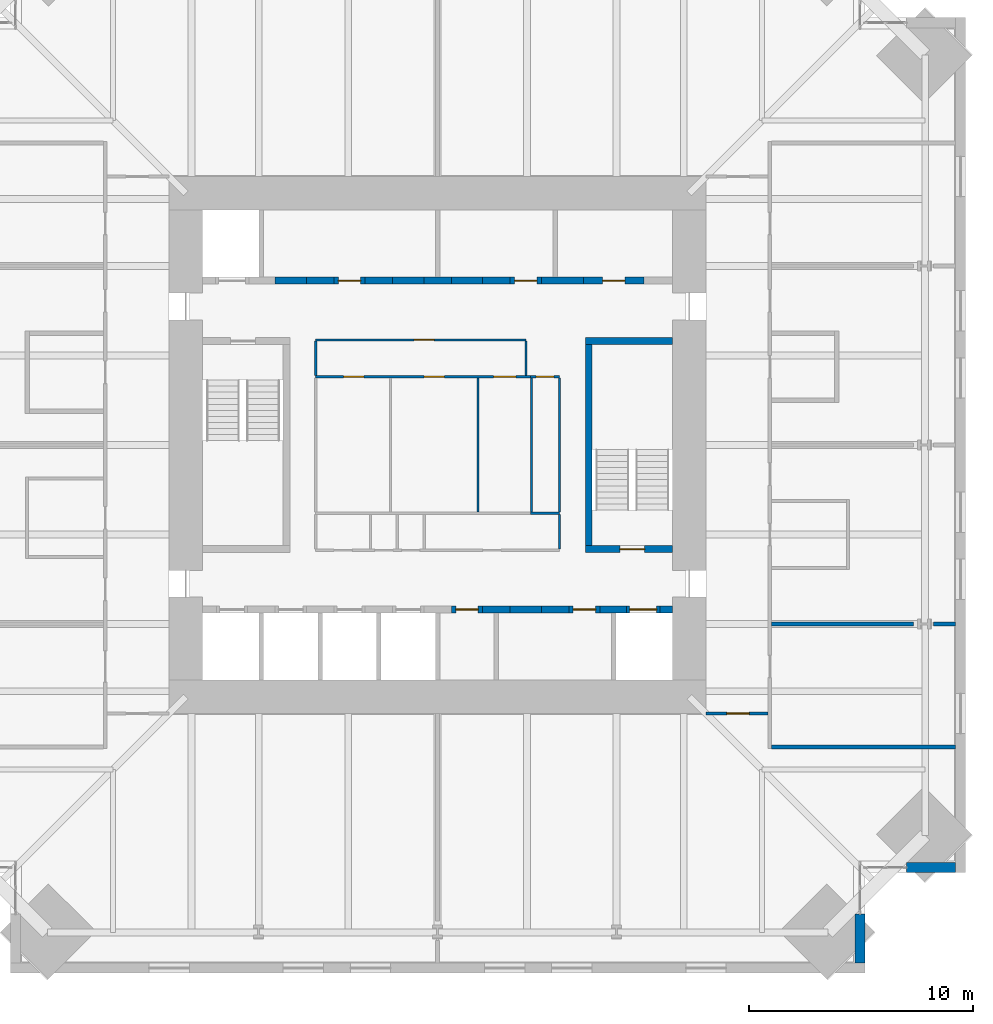
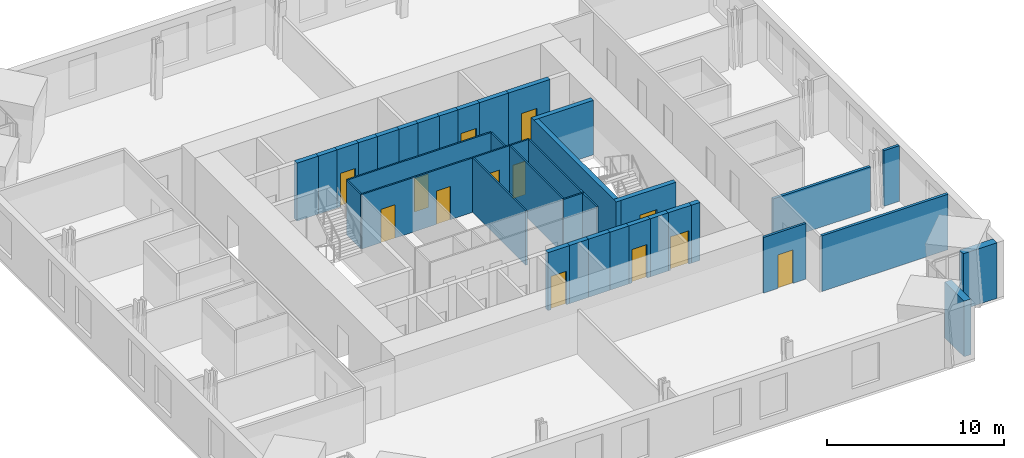
# One storey, part 12 of 15: 38 walls, 13 doors, 13 openings.
"""IFC4 building model written with IfcOpenShell, lengths in metres."""

from ifc_helpers import new_model, si_unit, direction, frame, frame_2d, origin, place, context, subcontext, project, spatial, rectangle, extrude, material, layer, layer_set, type_object, element, fill, save


model = new_model("IFC4")

# Units and contexts
model_context = context("Model", 3, precision=1e-05, world=origin(), true_north=direction((0.0, 1.0)))
body_context = subcontext(model_context, "Body", "Model", "MODEL_VIEW")
ifc_project = project(units=[si_unit("LENGTHUNIT", "METRE"), si_unit("AREAUNIT", "SQUARE_METRE"), si_unit("VOLUMEUNIT", "CUBIC_METRE"), si_unit("PLANEANGLEUNIT", "RADIAN"), si_unit("MASSUNIT", "GRAM", prefix="KILO")], contexts=[model_context])

# Site, building, storey
site_placement = place(None, origin())
site = spatial("IfcSite", under=ifc_project, at=site_placement, CompositionType="ELEMENT")
building_placement = place(site_placement, origin())
building = spatial("IfcBuilding", under=site, at=building_placement, Name="Peilmerk Tower", CompositionType="ELEMENT")
storey_placement = place(building_placement, frame((0.0, 0.0, 225.800048828125)))
storey = spatial("IfcBuildingStorey", under=building, at=storey_placement, Name="L49", CompositionType="ELEMENT", Elevation=225.800048828125)

# Walls
ifc_material_1 = material(Name="Precast concrete C45/55, board-marked finish", Category="concrete")
ifc_layer_1 = layer(ifc_material_1, 0.449951171875)
ifc_layer_set_1 = layer_set([ifc_layer_1], Name="Precast concrete C45/55, board-marked finish")
wall_type_1 = type_object("IfcWallType", Name="EW1 450 precast concrete facade wall, board-marked", PredefinedType="SOLIDWALL", material=ifc_layer_set_1)
for number, where, z_axis, x_axis, name in (
    (1, (18.875, -20.95361328125, 0.0), (0.0, 0.0, 1.0), (0.0, -1.0, 0.0), "Facade wall SEA L49"),
    (2, (20.95361328125, -18.875, 0.0), (0.0, 0.0, 1.0), (1.0, 0.0, 0.0), "Facade wall SEB L49"),
):
    element("IfcWall", number, at=place(storey_placement, frame(where, z_axis=z_axis, x_axis=x_axis)), inside=storey, type_object=wall_type_1, Name=name, PredefinedType="SOLIDWALL", context=body_context, shape_type="SweptSolid", body=[
        extrude(rectangle(XDim=2.1962890625, YDim=0.449951171875, at=frame_2d((1.09814453125, 0.0))), origin(), (0.0, 0.0, 1.0), 3.829833984375),
    ])

# Wall, opening, door
ifc_material_2 = material(Name="Calcium silicate block", Category="masonry")
ifc_layer_2 = layer(ifc_material_2, 0.14990234375)
ifc_layer_set_2 = layer_set([ifc_layer_2], Name="Calcium silicate block")
wall_type_2 = type_object("IfcWallType", Name="IW1 150 corridor partition, EI 60", PredefinedType="PARTITIONING", material=ifc_layer_set_2)
wall_1_placement = place(storey_placement, frame((14.77490234375, -12.0, 0.0), z_axis=(0.0, 0.0, 1.0), x_axis=(-1.0, 0.0, 0.0)))
wall_1 = element("IfcWall", 3, at=wall_1_placement, inside=storey, type_object=wall_type_2, Name="Corridor wall SE L49", PredefinedType="PARTITIONING", context=body_context, shape_type="SweptSolid", body=[
    extrude(rectangle(XDim=2.77490234375, YDim=0.14990234375, at=frame_2d((1.387451171875, 0.0))), origin(), (0.0, 0.0, 1.0), 3.829833984375),
])
opening_1_placement = place(wall_1_placement, frame((0.85009765625, 0.0, 0.0)))
opening_1 = element("IfcOpeningElement", 4, at=opening_1_placement, cuts=wall_1, Name="Opening D1", PredefinedType="OPENING", context=body_context, shape_type="SweptSolid", body=[
    extrude(rectangle(XDim=1.0, YDim=2.300048828125, at=frame_2d((0.5, 1.14990234375))), frame((0.0, 0.0849609375, 0.0), z_axis=(0.0, -1.0, 0.0), x_axis=(1.0, 0.0, 0.0)), (0.0, 0.0, 1.0), 0.169921875),
])
ifc_material_3 = material(Name="Timber door in steel frame", Category="steel")
door_type_1 = type_object("IfcDoorType", Name="D1 1000x2300 room door, EI2 30", OperationType="SINGLE_SWING_LEFT", PredefinedType="DOOR", material=ifc_material_3)
door_1_placement = place(opening_1_placement, origin())
door_1 = element("IfcDoor", 5, at=door_1_placement, inside=storey, type_object=door_type_1, Name="Door Office L49", OperationType="SINGLE_SWING_LEFT", OverallHeight=2.300048828125, OverallWidth=1.0, PredefinedType="DOOR", context=body_context, shape_type="SweptSolid", body=[
    extrude(rectangle(XDim=1.0, YDim=2.300048828125, at=frame_2d((0.5, 1.14990234375))), frame((0.0, 0.02490234375, 0.0), z_axis=(0.0, -1.0, 0.0), x_axis=(1.0, 0.0, 0.0)), (0.0, 0.0, 1.0), 0.050048828125),
])
fill(opening_1, door_1)

# Walls
ifc_material_4 = material(Name="Concrete C35/45", Category="concrete")
ifc_layer_3 = layer(ifc_material_4, 0.300048828125)
ifc_layer_set_3 = layer_set([ifc_layer_3], Name="Concrete C35/45")
wall_type_3 = type_object("IfcWallType", Name="IW3 300 concrete stair enclosure wall, EI 120", PredefinedType="SOLIDWALL", material=ifc_layer_set_3)
wall_2_placement = place(storey_placement, frame((6.75, -4.800048828125, 0.0), z_axis=(0.0, 0.0, 1.0), x_axis=(0.0, 1.0, 0.0)))
element("IfcWall", 6, at=wall_2_placement, inside=storey, type_object=wall_type_3, Name="Stair 2 enclosure L49", PredefinedType="SOLIDWALL", context=body_context, shape_type="SweptSolid", body=[
    extrude(rectangle(XDim=9.60009765625, YDim=0.300048828125, at=frame_2d((4.800048828125, 0.0))), origin(), (0.0, 0.0, 1.0), 3.75),
])
wall_3_placement = place(storey_placement, frame((6.60009765625, 4.64990234375, 0.0), z_axis=(0.0, 0.0, 1.0), x_axis=(1.0, 0.0, 0.0)))
element("IfcWall", 7, at=wall_3_placement, inside=storey, type_object=wall_type_3, Name="Stair 2 enclosure L49", PredefinedType="SOLIDWALL", context=body_context, shape_type="SweptSolid", body=[
    extrude(rectangle(XDim=3.89990234375, YDim=0.300048828125, at=frame_2d((1.949951171875, 0.0))), origin(), (0.0, 0.0, 1.0), 3.75),
])

# Wall, opening, door
wall_4_placement = place(storey_placement, frame((10.5, -4.64990234375, 0.0), z_axis=(0.0, 0.0, 1.0), x_axis=(-1.0, 0.0, 0.0)))
wall_4 = element("IfcWall", 8, at=wall_4_placement, inside=storey, type_object=wall_type_3, Name="Stair 2 enclosure L49", PredefinedType="SOLIDWALL", context=body_context, shape_type="SweptSolid", body=[
    extrude(rectangle(XDim=3.89990234375, YDim=0.300048828125, at=frame_2d((1.949951171875, 0.0))), origin(), (0.0, 0.0, 1.0), 3.75),
])
opening_2_placement = place(wall_4_placement, frame((1.25, 0.0, 0.0)))
opening_2 = element("IfcOpeningElement", 9, at=opening_2_placement, cuts=wall_4, Name="Opening D4", PredefinedType="OPENING", context=body_context, shape_type="SweptSolid", body=[
    extrude(rectangle(XDim=1.10009765625, YDim=2.300048828125, at=frame_2d((0.550048828125, 1.14990234375))), frame((0.0, 0.159912109375, 0.0), z_axis=(0.0, -1.0, 0.0), x_axis=(1.0, 0.0, 0.0)), (0.0, 0.0, 1.0), 0.320068359375),
])
ifc_material_5 = material(Name="Steel door in steel frame", Category="steel")
door_type_2 = type_object("IfcDoorType", Name="D4 1100x2300 stair door, EI2 60", OperationType="SINGLE_SWING_RIGHT", PredefinedType="DOOR", material=ifc_material_5)
door_2_placement = place(opening_2_placement, frame((1.10009765625, 0.0, 0.0), z_axis=(0.0, 0.0, 1.0), x_axis=(-1.0, 0.0, 0.0)))
door_2 = element("IfcDoor", 10, at=door_2_placement, inside=storey, type_object=door_type_2, Name="Stair 2 door L49", OperationType="SINGLE_SWING_RIGHT", OverallHeight=2.300048828125, OverallWidth=1.10009765625, PredefinedType="DOOR", context=body_context, shape_type="SweptSolid", body=[
    extrude(rectangle(XDim=1.10009765625, YDim=2.300048828125, at=frame_2d((0.550048828125, 1.14990234375))), frame((0.0, 0.02490234375, 0.0), z_axis=(0.0, -1.0, 0.0), x_axis=(1.0, 0.0, 0.0)), (0.0, 0.0, 1.0), 0.050048828125),
])
fill(opening_2, door_2)

# Wall, openings, doors
ifc_material_6 = material(Name="Plasterboard on steel studs", Category="steel")
ifc_layer_4 = layer(ifc_material_6, 0.10009765625)
ifc_layer_set_4 = layer_set([ifc_layer_4], Name="Plasterboard on steel studs")
wall_type_4 = type_object("IfcWallType", Name="IW4 100 WC partition", PredefinedType="PARTITIONING", material=ifc_layer_set_4)
wall_5_placement = place(storey_placement, frame((-5.449951171875, 3.050048828125, 0.0), z_axis=(0.0, 0.0, 1.0), x_axis=(1.0, 0.0, 0.0)))
wall_5 = element("IfcWall", 11, at=wall_5_placement, inside=storey, type_object=wall_type_4, Name="WC wall L49", PredefinedType="PARTITIONING", context=body_context, shape_type="SweptSolid", body=[
    extrude(rectangle(XDim=9.599853515625, YDim=0.10009765625, at=frame_2d((4.7998046875, 0.0))), origin(), (0.0, 0.0, 1.0), 3.75),
])
opening_3_placement = place(wall_5_placement, frame((1.25, 0.0, 0.0)))
opening_3 = element("IfcOpeningElement", 12, at=opening_3_placement, cuts=wall_5, Name="Opening D5", PredefinedType="OPENING", context=body_context, shape_type="SweptSolid", body=[
    extrude(rectangle(XDim=0.89990234375, YDim=2.300048828125, at=frame_2d((0.449951171875, 1.14990234375))), frame((0.0, 0.06005859375, 0.0), z_axis=(0.0, -1.0, 0.0), x_axis=(1.0, 0.0, 0.0)), (0.0, 0.0, 1.0), 0.1201171875),
])
opening_4_placement = place(wall_5_placement, frame((4.85009765625, 0.0, 0.0)))
opening_4 = element("IfcOpeningElement", 13, at=opening_4_placement, cuts=wall_5, Name="Opening D5", PredefinedType="OPENING", context=body_context, shape_type="SweptSolid", body=[
    extrude(rectangle(XDim=0.89990234375, YDim=2.300048828125, at=frame_2d((0.449951171875, 1.14990234375))), frame((0.0, 0.06005859375, 0.0), z_axis=(0.0, -1.0, 0.0), x_axis=(1.0, 0.0, 0.0)), (0.0, 0.0, 1.0), 0.1201171875),
])
opening_5_placement = place(wall_5_placement, frame((7.949951171875, 0.0, 0.0)))
opening_5 = element("IfcOpeningElement", 14, at=opening_5_placement, cuts=wall_5, Name="Opening D6", PredefinedType="OPENING", context=body_context, shape_type="SweptSolid", body=[
    extrude(rectangle(XDim=1.0, YDim=2.300048828125, at=frame_2d((0.5, 1.14990234375))), frame((0.0, 0.06005859375, 0.0), z_axis=(0.0, -1.0, 0.0), x_axis=(1.0, 0.0, 0.0)), (0.0, 0.0, 1.0), 0.1201171875),
])
door_type_3 = type_object("IfcDoorType", Name="D5 900x2300 WC door", OperationType="SINGLE_SWING_LEFT", PredefinedType="DOOR", material=ifc_material_3)
door_3_placement = place(opening_3_placement, frame((0.89990234375, 0.0, 0.0), z_axis=(0.0, 0.0, 1.0), x_axis=(-1.0, 0.0, 0.0)))
door_3 = element("IfcDoor", 15, at=door_3_placement, inside=storey, type_object=door_type_3, Name="Female toilets door L49", OperationType="SINGLE_SWING_LEFT", OverallHeight=2.300048828125, OverallWidth=0.89990234375, PredefinedType="DOOR", context=body_context, shape_type="SweptSolid", body=[
    extrude(rectangle(XDim=0.89990234375, YDim=2.300048828125, at=frame_2d((0.449951171875, 1.14990234375))), frame((0.0, 0.02490234375, 0.0), z_axis=(0.0, -1.0, 0.0), x_axis=(1.0, 0.0, 0.0)), (0.0, 0.0, 1.0), 0.050048828125),
])
fill(opening_3, door_3)
door_4_placement = place(opening_4_placement, frame((0.89990234375, 0.0, 0.0), z_axis=(0.0, 0.0, 1.0), x_axis=(-1.0, 0.0, 0.0)))
door_4 = element("IfcDoor", 16, at=door_4_placement, inside=storey, type_object=door_type_3, Name="Male toilets door L49", OperationType="SINGLE_SWING_LEFT", OverallHeight=2.300048828125, OverallWidth=0.89990234375, PredefinedType="DOOR", context=body_context, shape_type="SweptSolid", body=[
    extrude(rectangle(XDim=0.89990234375, YDim=2.300048828125, at=frame_2d((0.449951171875, 1.14990234375))), frame((0.0, 0.02490234375, 0.0), z_axis=(0.0, -1.0, 0.0), x_axis=(1.0, 0.0, 0.0)), (0.0, 0.0, 1.0), 0.050048828125),
])
fill(opening_4, door_4)
door_type_4 = type_object("IfcDoorType", Name="D6 1000x2300 accessible WC door", OperationType="SLIDING_TO_LEFT", PredefinedType="DOOR", material=ifc_material_3)
door_5_placement = place(opening_5_placement, frame((1.0, 0.0, 0.0), z_axis=(0.0, 0.0, 1.0), x_axis=(-1.0, 0.0, 0.0)))
door_5 = element("IfcDoor", 17, at=door_5_placement, inside=storey, type_object=door_type_4, Name="Accessible WC door L49", OperationType="SLIDING_TO_LEFT", OverallHeight=2.300048828125, OverallWidth=1.0, PredefinedType="DOOR", context=body_context, shape_type="SweptSolid", body=[
    extrude(rectangle(XDim=1.0, YDim=2.300048828125, at=frame_2d((0.5, 1.14990234375))), frame((0.0, 0.02490234375, 0.0), z_axis=(0.0, -1.0, 0.0), x_axis=(1.0, 0.0, 0.0)), (0.0, 0.0, 1.0), 0.050048828125),
])
fill(opening_5, door_5)

# Wall
wall_6_placement = place(storey_placement, frame((1.800048828125, -3.0, 0.0), z_axis=(0.0, 0.0, 1.0), x_axis=(0.0, 1.0, 0.0)))
element("IfcWall", 18, at=wall_6_placement, inside=storey, type_object=wall_type_4, Name="WC wall L49", PredefinedType="PARTITIONING", context=body_context, shape_type="SweptSolid", body=[
    extrude(rectangle(XDim=6.0, YDim=0.10009765625, at=frame_2d((3.0, 0.0))), origin(), (0.0, 0.0, 1.0), 3.75),
])

# Wall, opening, door
ifc_material_7 = material(Name="Calcium silicate board on steel studs", Category="steel")
ifc_layer_5 = layer(ifc_material_7, 0.10009765625)
ifc_layer_set_5 = layer_set([ifc_layer_5], Name="Calcium silicate board on steel studs")
wall_type_5 = type_object("IfcWallType", Name="IW5 100 riser enclosure wall, EI 60", PredefinedType="PARTITIONING", material=ifc_layer_set_5)
wall_7_placement = place(storey_placement, frame((4.14990234375, 3.050048828125, 0.0), z_axis=(0.0, 0.0, 1.0), x_axis=(1.0, 0.0, 0.0)))
wall_7 = element("IfcWall", 19, at=wall_7_placement, inside=storey, type_object=wall_type_5, Name="Riser wall L49", PredefinedType="PARTITIONING", context=body_context, shape_type="SweptSolid", body=[
    extrude(rectangle(XDim=1.300048828125, YDim=0.10009765625, at=frame_2d((0.64990234375, 0.0))), origin(), (0.0, 0.0, 1.0), 3.75),
])
opening_6_placement = place(wall_7_placement, frame((0.25, 0.0, 0.0)))
opening_6 = element("IfcOpeningElement", 20, at=opening_6_placement, cuts=wall_7, Name="Opening D7", PredefinedType="OPENING", context=body_context, shape_type="SweptSolid", body=[
    extrude(rectangle(XDim=0.800048828125, YDim=2.300048828125, at=frame_2d((0.39990234375, 1.14990234375))), frame((0.0, 0.06005859375, 0.0), z_axis=(0.0, -1.0, 0.0), x_axis=(1.0, 0.0, 0.0)), (0.0, 0.0, 1.0), 0.1201171875),
])
door_type_5 = type_object("IfcDoorType", Name="D7 800x2300 riser access door, EI2 60", OperationType="SINGLE_SWING_RIGHT", PredefinedType="DOOR", material=ifc_material_5)
door_6_placement = place(opening_6_placement, frame((0.800048828125, 0.0, 0.0), z_axis=(0.0, 0.0, 1.0), x_axis=(-1.0, 0.0, 0.0)))
door_6 = element("IfcDoor", 21, at=door_6_placement, inside=storey, type_object=door_type_5, Name="Plumbing riser door L49", OperationType="SINGLE_SWING_RIGHT", OverallHeight=2.300048828125, OverallWidth=0.800048828125, PredefinedType="DOOR", context=body_context, shape_type="SweptSolid", body=[
    extrude(rectangle(XDim=0.800048828125, YDim=2.300048828125, at=frame_2d((0.39990234375, 1.14990234375))), frame((0.0, 0.02490234375, 0.0), z_axis=(0.0, -1.0, 0.0), x_axis=(1.0, 0.0, 0.0)), (0.0, 0.0, 1.0), 0.050048828125),
])
fill(opening_6, door_6)

# Walls
wall_8_placement = place(storey_placement, frame((5.449951171875, -3.050048828125, 0.0), z_axis=(0.0, 0.0, 1.0), x_axis=(-1.0, 0.0, 0.0)))
element("IfcWall", 22, at=wall_8_placement, inside=storey, type_object=wall_type_5, Name="Riser wall L49", PredefinedType="PARTITIONING", context=body_context, shape_type="SweptSolid", body=[
    extrude(rectangle(XDim=1.300048828125, YDim=0.10009765625, at=frame_2d((0.64990234375, 0.0))), origin(), (0.0, 0.0, 1.0), 3.75),
])
for number, where, z_axis, x_axis, name in (
    (23, (5.449951171875, 3.0, 0.0), (0.0, 0.0, 1.0), (0.0, -1.0, 0.0), "Riser wall L49"),
    (24, (4.199951171875, -3.0, 0.0), (0.0, 0.0, 1.0), (0.0, 1.0, 0.0), "Riser wall L49"),
):
    element("IfcWall", number, at=place(storey_placement, frame(where, z_axis=z_axis, x_axis=x_axis)), inside=storey, type_object=wall_type_5, Name=name, PredefinedType="PARTITIONING", context=body_context, shape_type="SweptSolid", body=[
        extrude(rectangle(XDim=6.0, YDim=0.10009765625, at=frame_2d((3.0, 0.0))), origin(), (0.0, 0.0, 1.0), 3.75),
    ])
wall_9_placement = place(storey_placement, frame((5.449951171875, -3.10009765625, 0.0), z_axis=(0.0, 0.0, 1.0), x_axis=(0.0, -1.0, 0.0)))
element("IfcWall", 25, at=wall_9_placement, inside=storey, type_object=wall_type_5, Name="Riser wall L49", PredefinedType="PARTITIONING", context=body_context, shape_type="SweptSolid", body=[
    extrude(rectangle(XDim=1.5498046875, YDim=0.10009765625, at=frame_2d((0.77490234375, 0.0))), origin(), (0.0, 0.0, 1.0), 3.75),
])
ifc_layer_6 = layer(ifc_material_2, 0.175048828125)
ifc_layer_set_6 = layer_set([ifc_layer_6], Name="Calcium silicate block")
wall_type_6 = type_object("IfcWallType", Name="IW8 175 tenant separating wall, EI 60", PredefinedType="PARTITIONING", material=ifc_layer_set_6)
wall_10_placement = place(storey_placement, frame((23.14990234375, -13.5, 0.0), z_axis=(0.0, 0.0, 1.0), x_axis=(-1.0, 0.0, 0.0)))
element("IfcWall", 26, at=wall_10_placement, inside=storey, type_object=wall_type_6, Name="Tenant separating wall SE L49", PredefinedType="PARTITIONING", context=body_context, shape_type="SweptSolid", body=[
    extrude(rectangle(XDim=8.224853515625, YDim=0.175048828125, at=frame_2d((4.1123046875, 0.0))), origin(), (0.0, 0.0, 1.0), 3.829833984375),
])
wall_11_placement = place(storey_placement, frame((14.925048828125, -8.0, 0.0), z_axis=(0.0, 0.0, 1.0), x_axis=(1.0, 0.0, 0.0)))
element("IfcWall", 27, at=wall_11_placement, inside=storey, type_object=wall_type_6, Name="Tenant separating wall E1 L49", PredefinedType="PARTITIONING", context=body_context, shape_type="SweptSolid", body=[
    extrude(rectangle(XDim=6.341552734375, YDim=0.175048828125, at=frame_2d((3.1708984375, 0.0))), origin(), (0.0, 0.0, 1.0), 3.0400390625),
])
wall_12_placement = place(storey_placement, frame((22.156005859375, -8.0, 0.0), z_axis=(0.0, 0.0, 1.0), x_axis=(1.0, 0.0, 0.0)))
element("IfcWall", 28, at=wall_12_placement, inside=storey, type_object=wall_type_6, Name="Tenant separating wall E1b L49", PredefinedType="PARTITIONING", context=body_context, shape_type="SweptSolid", body=[
    extrude(rectangle(XDim=0.993896484375, YDim=0.175048828125, at=frame_2d((0.4970703125, 0.0))), origin(), (0.0, 0.0, 1.0), 3.829833984375),
])

# Wall, opening, door
ifc_material_8 = material(Name="Fire-resisting plasterboard on steel studs", Category="steel")
ifc_layer_7 = layer(ifc_material_8, 0.10009765625)
ifc_layer_set_7 = layer_set([ifc_layer_7], Name="Fire-resisting plasterboard on steel studs")
wall_type_7 = type_object("IfcWallType", Name="IW9 100 WC lobby wall, EI 30", PredefinedType="PARTITIONING", material=ifc_layer_set_7)
wall_13_placement = place(storey_placement, frame((-5.449951171875, 4.699951171875, 0.0), z_axis=(0.0, 0.0, 1.0), x_axis=(1.0, 0.0, 0.0)))
wall_13 = element("IfcWall", 29, at=wall_13_placement, inside=storey, type_object=wall_type_7, Name="WC lobby wall L49", PredefinedType="PARTITIONING", context=body_context, shape_type="SweptSolid", body=[
    extrude(rectangle(XDim=9.39990234375, YDim=0.10009765625, at=frame_2d((4.699951171875, 0.0))), origin(), (0.0, 0.0, 1.0), 3.75),
])
opening_7_placement = place(wall_13_placement, frame((4.39990234375, 0.0, 0.0)))
opening_7 = element("IfcOpeningElement", 30, at=opening_7_placement, cuts=wall_13, Name="Opening D11", PredefinedType="OPENING", context=body_context, shape_type="SweptSolid", body=[
    extrude(rectangle(XDim=0.89990234375, YDim=2.300048828125, at=frame_2d((0.449951171875, 1.14990234375))), frame((0.0, 0.06005859375, 0.0), z_axis=(0.0, -1.0, 0.0), x_axis=(1.0, 0.0, 0.0)), (0.0, 0.0, 1.0), 0.1201171875),
])
door_type_6 = type_object("IfcDoorType", Name="D11 900x2300 WC lobby door, EI2 30", OperationType="SINGLE_SWING_LEFT", PredefinedType="DOOR", material=ifc_material_3)
door_7_placement = place(opening_7_placement, frame((0.89990234375, 0.0, 0.0), z_axis=(0.0, 0.0, 1.0), x_axis=(-1.0, 0.0, 0.0)))
door_7 = element("IfcDoor", 31, at=door_7_placement, inside=storey, type_object=door_type_6, Name="WC lobby door L49", OperationType="SINGLE_SWING_LEFT", OverallHeight=2.300048828125, OverallWidth=0.89990234375, PredefinedType="DOOR", context=body_context, shape_type="SweptSolid", body=[
    extrude(rectangle(XDim=0.89990234375, YDim=2.300048828125, at=frame_2d((0.449951171875, 1.14990234375))), frame((0.0, 0.02490234375, 0.0), z_axis=(0.0, -1.0, 0.0), x_axis=(1.0, 0.0, 0.0)), (0.0, 0.0, 1.0), 0.050048828125),
])
fill(opening_7, door_7)

# Walls
for number, where, z_axis, x_axis, name in (
    (32, (-5.449951171875, 3.10009765625, 0.0), (0.0, 0.0, 1.0), (0.0, 1.0, 0.0), "WC lobby wall L49"),
    (33, (3.949951171875, 3.10009765625, 0.0), (0.0, 0.0, 1.0), (0.0, 1.0, 0.0), "WC lobby wall L49"),
):
    element("IfcWall", number, at=place(storey_placement, frame(where, z_axis=z_axis, x_axis=x_axis)), inside=storey, type_object=wall_type_7, Name=name, PredefinedType="PARTITIONING", context=body_context, shape_type="SweptSolid", body=[
        extrude(rectangle(XDim=1.5498046875, YDim=0.10009765625, at=frame_2d((0.77490234375, 0.0))), origin(), (0.0, 0.0, 1.0), 3.75),
    ])
ifc_layer_8 = layer(ifc_material_2, 0.300048828125)
ifc_layer_set_8 = layer_set([ifc_layer_8], Name="Calcium silicate block")
wall_type_8 = type_object("IfcWallType", Name="SH2 300 lift landing door panel, EI 120", PredefinedType="PARTITIONING", material=ifc_layer_set_8)
wall_14_placement = place(storey_placement, frame((-7.262451171875, 7.35009765625, 0.0), z_axis=(0.0, 0.0, 1.0), x_axis=(1.0, 0.0, 0.0)))
element("IfcWall", 34, at=wall_14_placement, inside=storey, type_object=wall_type_8, Name="Lift door panel N A1 L49", PredefinedType="PARTITIONING", context=body_context, shape_type="SweptSolid", body=[
    extrude(rectangle(XDim=1.39990234375, YDim=0.300048828125, at=frame_2d((0.699951171875, 0.0))), origin(), (0.0, 0.0, 1.0), 4.0),
])

# Wall, opening, door
wall_15_placement = place(storey_placement, frame((-4.637451171875, 7.35009765625, 0.0), z_axis=(0.0, 0.0, 1.0), x_axis=(1.0, 0.0, 0.0)))
wall_15 = element("IfcWall", 35, at=wall_15_placement, inside=storey, type_object=wall_type_8, Name="Lift door panel N A2 L49", PredefinedType="PARTITIONING", context=body_context, shape_type="SweptSolid", body=[
    extrude(rectangle(XDim=1.39990234375, YDim=0.300048828125, at=frame_2d((0.699951171875, 0.0))), origin(), (0.0, 0.0, 1.0), 4.0),
])
opening_8_placement = place(wall_15_placement, frame((0.199951171875, 0.0, 0.0)))
opening_8 = element("IfcOpeningElement", 36, at=opening_8_placement, cuts=wall_15, Name="Opening D10", PredefinedType="OPENING", context=body_context, shape_type="SweptSolid", body=[
    extrude(rectangle(XDim=1.0, YDim=2.300048828125, at=frame_2d((0.5, 1.14990234375))), frame((0.0, 0.159912109375, 0.0), z_axis=(0.0, -1.0, 0.0), x_axis=(1.0, 0.0, 0.0)), (0.0, 0.0, 1.0), 0.320068359375),
])
door_type_7 = type_object("IfcDoorType", Name="D10 1000x2300 core room door, EI2 60", OperationType="SINGLE_SWING_RIGHT", PredefinedType="DOOR", material=ifc_material_5)
door_8_placement = place(opening_8_placement, origin())
door_8 = element("IfcDoor", 37, at=door_8_placement, inside=storey, type_object=door_type_7, Name="Door Mail room L49", OperationType="SINGLE_SWING_RIGHT", OverallHeight=2.300048828125, OverallWidth=1.0, PredefinedType="DOOR", context=body_context, shape_type="SweptSolid", body=[
    extrude(rectangle(XDim=1.0, YDim=2.300048828125, at=frame_2d((0.5, 1.14990234375))), frame((0.0, 0.02490234375, 0.0), z_axis=(0.0, -1.0, 0.0), x_axis=(1.0, 0.0, 0.0)), (0.0, 0.0, 1.0), 0.050048828125),
])
fill(opening_8, door_8)

# Walls
for number, where, z_axis, x_axis, name in (
    (38, (-2.012451171875, 7.35009765625, 0.0), (0.0, 0.0, 1.0), (1.0, 0.0, 0.0), "Lift door panel N A3 L49"),
    (39, (0.612548828125, 7.35009765625, 0.0), (0.0, 0.0, 1.0), (1.0, 0.0, 0.0), "Lift door panel N S1 L49"),
):
    element("IfcWall", number, at=place(storey_placement, frame(where, z_axis=z_axis, x_axis=x_axis)), inside=storey, type_object=wall_type_8, Name=name, PredefinedType="PARTITIONING", context=body_context, shape_type="SweptSolid", body=[
        extrude(rectangle(XDim=1.39990234375, YDim=0.300048828125, at=frame_2d((0.699951171875, 0.0))), origin(), (0.0, 0.0, 1.0), 4.0),
    ])

# Wall, opening, door
wall_16_placement = place(storey_placement, frame((3.237548828125, 7.35009765625, 0.0), z_axis=(0.0, 0.0, 1.0), x_axis=(1.0, 0.0, 0.0)))
wall_16 = element("IfcWall", 40, at=wall_16_placement, inside=storey, type_object=wall_type_8, Name="Lift door panel N S2 L49", PredefinedType="PARTITIONING", context=body_context, shape_type="SweptSolid", body=[
    extrude(rectangle(XDim=1.39990234375, YDim=0.300048828125, at=frame_2d((0.699951171875, 0.0))), origin(), (0.0, 0.0, 1.0), 4.0),
])
opening_9_placement = place(wall_16_placement, frame((0.199951171875, 0.0, 0.0)))
opening_9 = element("IfcOpeningElement", 41, at=opening_9_placement, cuts=wall_16, Name="Opening D10", PredefinedType="OPENING", context=body_context, shape_type="SweptSolid", body=[
    extrude(rectangle(XDim=1.0, YDim=2.300048828125, at=frame_2d((0.5, 1.14990234375))), frame((0.0, 0.159912109375, 0.0), z_axis=(0.0, -1.0, 0.0), x_axis=(1.0, 0.0, 0.0)), (0.0, 0.0, 1.0), 0.320068359375),
])
door_9_placement = place(opening_9_placement, origin())
door_9 = element("IfcDoor", 42, at=door_9_placement, inside=storey, type_object=door_type_7, Name="Door Staff room L49", OperationType="SINGLE_SWING_RIGHT", OverallHeight=2.300048828125, OverallWidth=1.0, PredefinedType="DOOR", context=body_context, shape_type="SweptSolid", body=[
    extrude(rectangle(XDim=1.0, YDim=2.300048828125, at=frame_2d((0.5, 1.14990234375))), frame((0.0, 0.02490234375, 0.0), z_axis=(0.0, -1.0, 0.0), x_axis=(1.0, 0.0, 0.0)), (0.0, 0.0, 1.0), 0.050048828125),
])
fill(opening_9, door_9)

wall_17_placement = place(storey_placement, frame((6.52490234375, 7.35009765625, 0.0), z_axis=(0.0, 0.0, 1.0), x_axis=(1.0, 0.0, 0.0)))
wall_17 = element("IfcWall", 43, at=wall_17_placement, inside=storey, type_object=wall_type_8, Name="Lift door panel N GL1 L49", PredefinedType="PARTITIONING", context=body_context, shape_type="SweptSolid", body=[
    extrude(rectangle(XDim=2.7001953125, YDim=0.300048828125, at=frame_2d((1.35009765625, 0.0))), origin(), (0.0, 0.0, 1.0), 4.0),
])
opening_10_placement = place(wall_17_placement, frame((0.85009765625, 0.0, 0.0)))
opening_10 = element("IfcOpeningElement", 44, at=opening_10_placement, cuts=wall_17, Name="Opening D10", PredefinedType="OPENING", context=body_context, shape_type="SweptSolid", body=[
    extrude(rectangle(XDim=1.0, YDim=2.300048828125, at=frame_2d((0.5, 1.14990234375))), frame((0.0, 0.159912109375, 0.0), z_axis=(0.0, -1.0, 0.0), x_axis=(1.0, 0.0, 0.0)), (0.0, 0.0, 1.0), 0.320068359375),
])
door_10_placement = place(opening_10_placement, origin())
door_10 = element("IfcDoor", 45, at=door_10_placement, inside=storey, type_object=door_type_7, Name="Door Staff WC L49", OperationType="SINGLE_SWING_RIGHT", OverallHeight=2.300048828125, OverallWidth=1.0, PredefinedType="DOOR", context=body_context, shape_type="SweptSolid", body=[
    extrude(rectangle(XDim=1.0, YDim=2.300048828125, at=frame_2d((0.5, 1.14990234375))), frame((0.0, 0.02490234375, 0.0), z_axis=(0.0, -1.0, 0.0), x_axis=(1.0, 0.0, 0.0)), (0.0, 0.0, 1.0), 0.050048828125),
])
fill(opening_10, door_10)

wall_18_placement = place(storey_placement, frame((0.612548828125, -7.35009765625, 0.0), z_axis=(0.0, 0.0, 1.0), x_axis=(1.0, 0.0, 0.0)))
wall_18 = element("IfcWall", 46, at=wall_18_placement, inside=storey, type_object=wall_type_8, Name="Lift door panel S B3 L49", PredefinedType="PARTITIONING", context=body_context, shape_type="SweptSolid", body=[
    extrude(rectangle(XDim=1.39990234375, YDim=0.300048828125, at=frame_2d((0.699951171875, 0.0))), origin(), (0.0, 0.0, 1.0), 4.0),
])
opening_11_placement = place(wall_18_placement, frame((0.199951171875, 0.0, 0.0)))
opening_11 = element("IfcOpeningElement", 47, at=opening_11_placement, cuts=wall_18, Name="Opening D10", PredefinedType="OPENING", context=body_context, shape_type="SweptSolid", body=[
    extrude(rectangle(XDim=1.0, YDim=2.300048828125, at=frame_2d((0.5, 1.14990234375))), frame((0.0, 0.159912109375, 0.0), z_axis=(0.0, -1.0, 0.0), x_axis=(1.0, 0.0, 0.0)), (0.0, 0.0, 1.0), 0.320068359375),
])
door_11_placement = place(opening_11_placement, frame((1.0, 0.0, 0.0), z_axis=(0.0, 0.0, 1.0), x_axis=(-1.0, 0.0, 0.0)))
door_11 = element("IfcDoor", 48, at=door_11_placement, inside=storey, type_object=door_type_7, Name="Door Electrical room L49", OperationType="SINGLE_SWING_RIGHT", OverallHeight=2.300048828125, OverallWidth=1.0, PredefinedType="DOOR", context=body_context, shape_type="SweptSolid", body=[
    extrude(rectangle(XDim=1.0, YDim=2.300048828125, at=frame_2d((0.5, 1.14990234375))), frame((0.0, 0.02490234375, 0.0), z_axis=(0.0, -1.0, 0.0), x_axis=(1.0, 0.0, 0.0)), (0.0, 0.0, 1.0), 0.050048828125),
])
fill(opening_11, door_11)

# Wall
wall_19_placement = place(storey_placement, frame((3.237548828125, -7.35009765625, 0.0), z_axis=(0.0, 0.0, 1.0), x_axis=(1.0, 0.0, 0.0)))
element("IfcWall", 49, at=wall_19_placement, inside=storey, type_object=wall_type_8, Name="Lift door panel S B2 L49", PredefinedType="PARTITIONING", context=body_context, shape_type="SweptSolid", body=[
    extrude(rectangle(XDim=1.39990234375, YDim=0.300048828125, at=frame_2d((0.699951171875, 0.0))), origin(), (0.0, 0.0, 1.0), 4.0),
])

# Wall, opening, door
wall_20_placement = place(storey_placement, frame((5.862548828125, -7.35009765625, 0.0), z_axis=(0.0, 0.0, 1.0), x_axis=(1.0, 0.0, 0.0)))
wall_20 = element("IfcWall", 50, at=wall_20_placement, inside=storey, type_object=wall_type_8, Name="Lift door panel S B1 L49", PredefinedType="PARTITIONING", context=body_context, shape_type="SweptSolid", body=[
    extrude(rectangle(XDim=1.39990234375, YDim=0.300048828125, at=frame_2d((0.699951171875, 0.0))), origin(), (0.0, 0.0, 1.0), 4.0),
])
opening_12_placement = place(wall_20_placement, frame((0.199951171875, 0.0, 0.0)))
opening_12 = element("IfcOpeningElement", 51, at=opening_12_placement, cuts=wall_20, Name="Opening D10", PredefinedType="OPENING", context=body_context, shape_type="SweptSolid", body=[
    extrude(rectangle(XDim=1.0, YDim=2.300048828125, at=frame_2d((0.5, 1.14990234375))), frame((0.0, 0.159912109375, 0.0), z_axis=(0.0, -1.0, 0.0), x_axis=(1.0, 0.0, 0.0)), (0.0, 0.0, 1.0), 0.320068359375),
])
door_12_placement = place(opening_12_placement, frame((1.0, 0.0, 0.0), z_axis=(0.0, 0.0, 1.0), x_axis=(-1.0, 0.0, 0.0)))
door_12 = element("IfcDoor", 52, at=door_12_placement, inside=storey, type_object=door_type_7, Name="Door First aid room L49", OperationType="SINGLE_SWING_RIGHT", OverallHeight=2.300048828125, OverallWidth=1.0, PredefinedType="DOOR", context=body_context, shape_type="SweptSolid", body=[
    extrude(rectangle(XDim=1.0, YDim=2.300048828125, at=frame_2d((0.5, 1.14990234375))), frame((0.0, 0.02490234375, 0.0), z_axis=(0.0, -1.0, 0.0), x_axis=(1.0, 0.0, 0.0)), (0.0, 0.0, 1.0), 0.050048828125),
])
fill(opening_12, door_12)

wall_21_placement = place(storey_placement, frame((8.4375, -7.35009765625, 0.0), z_axis=(0.0, 0.0, 1.0), x_axis=(1.0, 0.0, 0.0)))
wall_21 = element("IfcWall", 53, at=wall_21_placement, inside=storey, type_object=wall_type_8, Name="Lift door panel S FL2 L49", PredefinedType="PARTITIONING", context=body_context, shape_type="SweptSolid", body=[
    extrude(rectangle(XDim=1.5, YDim=0.300048828125, at=frame_2d((0.75, 0.0))), origin(), (0.0, 0.0, 1.0), 4.0),
])
opening_13_placement = place(wall_21_placement, frame((0.14990234375, 0.0, 0.0)))
opening_13 = element("IfcOpeningElement", 54, at=opening_13_placement, cuts=wall_21, Name="Opening LD2", PredefinedType="OPENING", context=body_context, shape_type="SweptSolid", body=[
    extrude(rectangle(XDim=1.199951171875, YDim=2.300048828125, at=frame_2d((0.60009765625, 1.14990234375))), frame((0.0, 0.159912109375, 0.0), z_axis=(0.0, -1.0, 0.0), x_axis=(1.0, 0.0, 0.0)), (0.0, 0.0, 1.0), 0.320068359375),
])
ifc_material_9 = material(Name="Stainless steel landing door", Category="steel")
door_type_8 = type_object("IfcDoorType", Name="LD2 1200x2300 lift landing door, sliding, EI2 60", OperationType="SLIDING_TO_LEFT", PredefinedType="DOOR", material=ifc_material_9)
door_13_placement = place(opening_13_placement, origin())
door_13 = element("IfcDoor", 55, at=door_13_placement, inside=storey, type_object=door_type_8, Name="Lift landing door FL2 L49", OperationType="SLIDING_TO_LEFT", OverallHeight=2.300048828125, OverallWidth=1.199951171875, PredefinedType="DOOR", context=body_context, shape_type="SweptSolid", body=[
    extrude(rectangle(XDim=1.199951171875, YDim=2.300048828125, at=frame_2d((0.60009765625, 1.14990234375))), frame((0.0, 0.02490234375, 0.0), z_axis=(0.0, -1.0, 0.0), x_axis=(1.0, 0.0, 0.0)), (0.0, 0.0, 1.0), 0.050048828125),
])
fill(opening_13, door_13)

# Walls
ifc_material_10 = material(Name="Concrete C55/67", Category="concrete")
ifc_layer_9 = layer(ifc_material_10, 0.300048828125)
ifc_layer_set_9 = layer_set([ifc_layer_9], Name="Concrete C55/67")
wall_type_9 = type_object("IfcWallType", Name="SW2 300 lift bank pier", PredefinedType="SHEAR", material=ifc_layer_set_9)
for number, where, z_axis, x_axis, name in (
    (56, (-5.862548828125, 7.35009765625, 0.0), (0.0, 0.0, 1.0), (1.0, 0.0, 0.0), "Lift bank pier N L49"),
    (57, (-3.237548828125, 7.35009765625, 0.0), (0.0, 0.0, 1.0), (1.0, 0.0, 0.0), "Lift bank pier N L49"),
    (58, (-0.612548828125, 7.35009765625, 0.0), (0.0, 0.0, 1.0), (1.0, 0.0, 0.0), "Lift bank pier N L49"),
    (59, (2.012451171875, 7.35009765625, 0.0), (0.0, 0.0, 1.0), (1.0, 0.0, 0.0), "Lift bank pier N L49"),
):
    element("IfcWall", number, at=place(storey_placement, frame(where, z_axis=z_axis, x_axis=x_axis)), inside=storey, type_object=wall_type_9, Name=name, PredefinedType="SHEAR", context=body_context, shape_type="SweptSolid", body=[
        extrude(rectangle(XDim=1.22509765625, YDim=0.300048828125, at=frame_2d((0.612548828125, 0.0))), origin(), (0.0, 0.0, 1.0), 4.0),
    ])
wall_22_placement = place(storey_placement, frame((4.637451171875, 7.35009765625, 0.0), z_axis=(0.0, 0.0, 1.0), x_axis=(1.0, 0.0, 0.0)))
element("IfcWall", 60, at=wall_22_placement, inside=storey, type_object=wall_type_9, Name="Lift bank pier N L49", PredefinedType="SHEAR", context=body_context, shape_type="SweptSolid", body=[
    extrude(rectangle(XDim=1.887451171875, YDim=0.300048828125, at=frame_2d((0.94384765625, 0.0))), origin(), (0.0, 0.0, 1.0), 4.0),
])
for number, where, z_axis, x_axis, name in (
    (61, (2.012451171875, -7.35009765625, 0.0), (0.0, 0.0, 1.0), (1.0, 0.0, 0.0), "Lift bank pier S L49"),
    (62, (4.637451171875, -7.35009765625, 0.0), (0.0, 0.0, 1.0), (1.0, 0.0, 0.0), "Lift bank pier S L49"),
):
    element("IfcWall", number, at=place(storey_placement, frame(where, z_axis=z_axis, x_axis=x_axis)), inside=storey, type_object=wall_type_9, Name=name, PredefinedType="SHEAR", context=body_context, shape_type="SweptSolid", body=[
        extrude(rectangle(XDim=1.22509765625, YDim=0.300048828125, at=frame_2d((0.612548828125, 0.0))), origin(), (0.0, 0.0, 1.0), 4.0),
    ])
wall_23_placement = place(storey_placement, frame((7.262451171875, -7.35009765625, 0.0), z_axis=(0.0, 0.0, 1.0), x_axis=(1.0, 0.0, 0.0)))
element("IfcWall", 63, at=wall_23_placement, inside=storey, type_object=wall_type_9, Name="Lift bank pier S L49", PredefinedType="SHEAR", context=body_context, shape_type="SweptSolid", body=[
    extrude(rectangle(XDim=1.175048828125, YDim=0.300048828125, at=frame_2d((0.58740234375, 0.0))), origin(), (0.0, 0.0, 1.0), 4.0),
])
wall_24_placement = place(storey_placement, frame((9.9375, -7.35009765625, 0.0), z_axis=(0.0, 0.0, 1.0), x_axis=(1.0, 0.0, 0.0)))
element("IfcWall", 64, at=wall_24_placement, inside=storey, type_object=wall_type_9, Name="Lift bank pier S L49", PredefinedType="SHEAR", context=body_context, shape_type="SweptSolid", body=[
    extrude(rectangle(XDim=0.5625, YDim=0.300048828125, at=frame_2d((0.28125, 0.0))), origin(), (0.0, 0.0, 1.0), 4.0),
])

save(model, "model.ifc")
